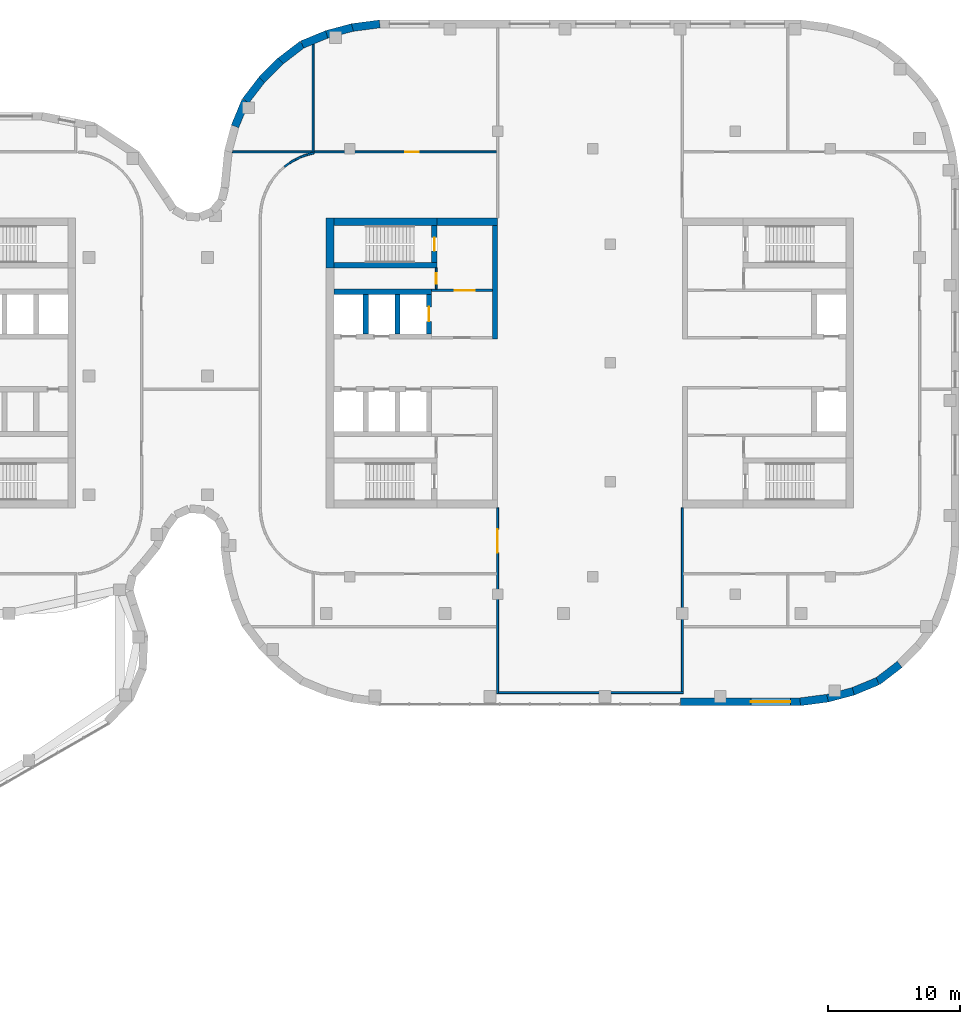
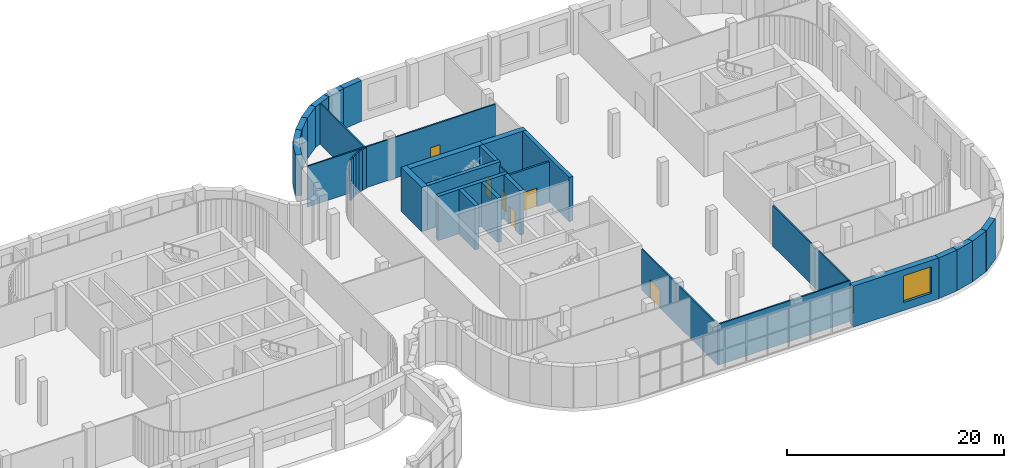
# One storey, part 19 of 25: 34 walls, 6 doors, 1 window, 7 openings.
"""IFC4 building model written with IfcOpenShell, lengths in metres."""

from ifc_helpers import new_model, si_unit, direction, frame, frame_2d, origin, place, context, subcontext, project, spatial, rectangle, extrude, material, layer, layer_set, type_object, element, fill, save


model = new_model("IFC4")

# Units and contexts
model_context = context("Model", 3, precision=1e-05, world=origin(), true_north=direction((0.0, 1.0)))
body_context = subcontext(model_context, "Body", "Model", "MODEL_VIEW")
ifc_project = project(units=[si_unit("LENGTHUNIT", "METRE"), si_unit("AREAUNIT", "SQUARE_METRE"), si_unit("VOLUMEUNIT", "CUBIC_METRE"), si_unit("PLANEANGLEUNIT", "RADIAN"), si_unit("MASSUNIT", "GRAM", prefix="KILO")], contexts=[model_context])

# Site, building, storey
site_placement = place(None, origin())
site = spatial("IfcSite", under=ifc_project, at=site_placement, CompositionType="ELEMENT")
building_placement = place(site_placement, origin())
building = spatial("IfcBuilding", under=site, at=building_placement, Name="Skarvind Civic Tower", CompositionType="ELEMENT")
storey_placement = place(building_placement, frame((0.0, 0.0, 7.5)))
storey = spatial("IfcBuildingStorey", under=building, at=storey_placement, Name="L01", CompositionType="ELEMENT", Elevation=7.5)

# Wall, opening, door
ifc_material_1 = material(Name="Fire-rated masonry partition", Category="masonry")
ifc_layer_1 = layer(ifc_material_1, 0.199951171875)
ifc_layer_set_1 = layer_set([ifc_layer_1], Name="Core enclosure wall 200")
wall_type_1 = type_object("IfcWallType", Name="Core enclosure wall 200", PredefinedType="PARTITIONING", material=ifc_layer_set_1)
wall_1_placement = place(storey_placement, frame((135.0, 133.5, 0.0), z_axis=(0.0, 0.0, 1.0), x_axis=(1.0, 0.0, 0.0)))
wall_1 = element("IfcWall", 1, at=wall_1_placement, inside=storey, type_object=wall_type_1, Name="Core wall CA", PredefinedType="PARTITIONING", context=body_context, shape_type="SweptSolid", body=[
    extrude(rectangle(XDim=4.60009765625, YDim=0.199951171875, at=frame_2d((2.300048828125, 0.0))), origin(), (0.0, 0.0, 1.0), 4.60009765625),
])
opening_1_placement = place(wall_1_placement, frame((1.75, 0.0, 0.0)))
opening_1 = element("IfcOpeningElement", 2, at=opening_1_placement, cuts=wall_1, Name="Opening D-L01-CA-07", PredefinedType="OPENING", context=body_context, shape_type="SweptSolid", body=[
    extrude(rectangle(XDim=1.5, YDim=2.10009765625, at=frame_2d((0.75, 1.050048828125))), frame((0.0, 0.10986328125, 0.0), z_axis=(0.0, -1.0, 0.0), x_axis=(1.0, 0.0, 0.0)), (0.0, 0.0, 1.0), 0.219970703125),
])
ifc_material_2 = material(Name="Fire-rated steel door", Category="steel")
door_type_1 = type_object("IfcDoorType", Name="Fire door 1500", OperationType="NOTDEFINED", PredefinedType="DOOR", material=ifc_material_2)
door_1_placement = place(opening_1_placement, origin())
door_1 = element("IfcDoor", 3, at=door_1_placement, inside=storey, type_object=door_type_1, Name="Fire door", OperationType="DOUBLE_DOOR_SINGLE_SWING", OverallHeight=2.10009765625, OverallWidth=1.5, PredefinedType="DOOR", context=body_context, shape_type="SweptSolid", body=[
    extrude(rectangle(XDim=1.5, YDim=2.10009765625, at=frame_2d((0.75, 1.050048828125))), frame((0.0, 0.02490234375, 0.0), z_axis=(0.0, -1.0, 0.0), x_axis=(1.0, 0.0, 0.0)), (0.0, 0.0, 1.0), 0.050048828125),
])
fill(opening_1, door_1)

# Wall
ifc_material_3 = material(Name="Concrete C80", Category="concrete")
ifc_layer_2 = layer(ifc_material_3, 0.39990234375)
ifc_layer_set_2 = layer_set([ifc_layer_2], Name="Core wall 400 C80")
wall_type_2 = type_object("IfcWallType", Name="Core wall 400 C80", PredefinedType="SHEAR", material=ifc_layer_set_2)
wall_2_placement = place(storey_placement, frame((127.60009765625, 135.39990234375, 0.0), z_axis=(0.0, 0.0, 1.0), x_axis=(1.0, 0.0, 0.0)))
element("IfcWall", 4, at=wall_2_placement, inside=storey, type_object=wall_type_2, Name="Core wall CA north stair inner L01", PredefinedType="SHEAR", context=body_context, shape_type="SweptSolid", body=[
    extrude(rectangle(XDim=7.7998046875, YDim=0.39990234375, at=frame_2d((3.89990234375, 0.0))), origin(), (0.0, 0.0, 1.0), 5.0),
])

# Wall, opening, door
wall_3_placement = place(storey_placement, frame((135.199951171875, 135.60009765625, 0.0), z_axis=(0.0, 0.0, 1.0), x_axis=(0.0, 1.0, 0.0)))
wall_3 = element("IfcWall", 5, at=wall_3_placement, inside=storey, type_object=wall_type_2, Name="Core wall CA north stair end L01", PredefinedType="SHEAR", context=body_context, shape_type="SweptSolid", body=[
    extrude(rectangle(XDim=2.7998046875, YDim=0.39990234375, at=frame_2d((1.39990234375, 0.0))), origin(), (0.0, 0.0, 1.0), 5.0),
])
opening_2_placement = place(wall_3_placement, frame((0.89990234375, 0.0, 0.0)))
opening_2 = element("IfcOpeningElement", 6, at=opening_2_placement, cuts=wall_3, Name="Opening D-L01-CA-08", PredefinedType="OPENING", context=body_context, shape_type="SweptSolid", body=[
    extrude(rectangle(XDim=1.0, YDim=2.10009765625, at=frame_2d((0.5, 1.050048828125))), frame((0.0, 0.2099609375, 0.0), z_axis=(0.0, -1.0, 0.0), x_axis=(1.0, 0.0, 0.0)), (0.0, 0.0, 1.0), 0.419921875),
])
door_type_2 = type_object("IfcDoorType", Name="Fire door 1000", OperationType="NOTDEFINED", PredefinedType="DOOR", material=ifc_material_2)
door_2_placement = place(opening_2_placement, origin())
door_2 = element("IfcDoor", 7, at=door_2_placement, inside=storey, type_object=door_type_2, Name="Fire door", OperationType="SINGLE_SWING_LEFT", OverallHeight=2.10009765625, OverallWidth=1.0, PredefinedType="DOOR", context=body_context, shape_type="SweptSolid", body=[
    extrude(rectangle(XDim=1.0, YDim=2.10009765625, at=frame_2d((0.5, 1.050048828125))), frame((0.0, 0.02490234375, 0.0), z_axis=(0.0, -1.0, 0.0), x_axis=(1.0, 0.0, 0.0)), (0.0, 0.0, 1.0), 0.050048828125),
])
fill(opening_2, door_2)

# Walls
wall_4_placement = place(storey_placement, frame((127.60009765625, 133.39990234375, 0.0), z_axis=(0.0, 0.0, 1.0), x_axis=(1.0, 0.0, 0.0)))
element("IfcWall", 8, at=wall_4_placement, inside=storey, type_object=wall_type_2, Name="Core wall CA north lift row back L01", PredefinedType="SHEAR", context=body_context, shape_type="SweptSolid", body=[
    extrude(rectangle(XDim=7.39990234375, YDim=0.39990234375, at=frame_2d((3.699951171875, 0.0))), origin(), (0.0, 0.0, 1.0), 5.0),
])
for number, where, z_axis, x_axis, name in (
    (9, (130.0, 130.199951171875, 0.0), (0.0, 0.0, 1.0), (0.0, 1.0, 0.0), "Core wall CA north lift row division 1 L01"),
    (10, (132.39990234375, 130.199951171875, 0.0), (0.0, 0.0, 1.0), (0.0, 1.0, 0.0), "Core wall CA north lift row division 2 L01"),
):
    element("IfcWall", number, at=place(storey_placement, frame(where, z_axis=z_axis, x_axis=x_axis)), inside=storey, type_object=wall_type_2, Name=name, PredefinedType="SHEAR", context=body_context, shape_type="SweptSolid", body=[
        extrude(rectangle(XDim=3.0, YDim=0.39990234375, at=frame_2d((1.5, 0.0))), origin(), (0.0, 0.0, 1.0), 5.0),
    ])

# Wall, opening, door
wall_5_placement = place(storey_placement, frame((134.800048828125, 130.199951171875, 0.0), z_axis=(0.0, 0.0, 1.0), x_axis=(0.0, 1.0, 0.0)))
wall_5 = element("IfcWall", 11, at=wall_5_placement, inside=storey, type_object=wall_type_2, Name="Core wall CA north lift row division 3 L01", PredefinedType="SHEAR", context=body_context, shape_type="SweptSolid", body=[
    extrude(rectangle(XDim=3.0, YDim=0.39990234375, at=frame_2d((1.5, 0.0))), origin(), (0.0, 0.0, 1.0), 5.0),
])
opening_3_placement = place(wall_5_placement, frame((0.949951171875, 0.0, 0.0)))
opening_3 = element("IfcOpeningElement", 12, at=opening_3_placement, cuts=wall_5, Name="Opening LD03303", PredefinedType="OPENING", context=body_context, shape_type="SweptSolid", body=[
    extrude(rectangle(XDim=1.10009765625, YDim=2.10009765625, at=frame_2d((0.550048828125, 1.050048828125))), frame((0.0, 0.2099609375, 0.0), z_axis=(0.0, -1.0, 0.0), x_axis=(1.0, 0.0, 0.0)), (0.0, 0.0, 1.0), 0.419921875),
])
ifc_material_4 = material(Name="Stainless steel landing door", Category="steel")
door_type_3 = type_object("IfcDoorType", Name="Lift landing door 1100", OperationType="DOUBLE_DOOR_SLIDING", PredefinedType="DOOR", material=ifc_material_4)
door_3_placement = place(opening_3_placement, origin())
door_3 = element("IfcDoor", 13, at=door_3_placement, inside=storey, type_object=door_type_3, Name="Lift landing door", OperationType="DOUBLE_DOOR_SLIDING", OverallHeight=2.10009765625, OverallWidth=1.10009765625, PredefinedType="DOOR", context=body_context, shape_type="SweptSolid", body=[
    extrude(rectangle(XDim=1.10009765625, YDim=2.10009765625, at=frame_2d((0.550048828125, 1.050048828125))), frame((0.0, 0.02490234375, 0.0), z_axis=(0.0, -1.0, 0.0), x_axis=(1.0, 0.0, 0.0)), (0.0, 0.0, 1.0), 0.050048828125),
])
fill(opening_3, door_3)

# Walls
wall_6_placement = place(storey_placement, frame((139.800048828125, 129.800048828125, 0.0), z_axis=(0.0, 0.0, 1.0), x_axis=(0.0, 1.0, 0.0)))
element("IfcWall", 14, at=wall_6_placement, inside=storey, type_object=wall_type_2, Name="Core wall CA north inner face L01", PredefinedType="SHEAR", context=body_context, shape_type="SweptSolid", body=[
    extrude(rectangle(XDim=8.599853515625, YDim=0.39990234375, at=frame_2d((4.2998046875, 0.0))), origin(), (0.0, 0.0, 1.0), 5.0),
])
ifc_layer_3 = layer(ifc_material_3, 0.60009765625)
ifc_layer_set_3 = layer_set([ifc_layer_3], Name="Core wall 600 C80")
wall_type_3 = type_object("IfcWallType", Name="Core wall 600 C80", PredefinedType="SHEAR", material=ifc_layer_set_3)
wall_7_placement = place(storey_placement, frame((127.300048828125, 135.199951171875, 0.0), z_axis=(0.0, 0.0, 1.0), x_axis=(0.0, 1.0, 0.0)))
element("IfcWall", 15, at=wall_7_placement, inside=storey, type_object=wall_type_3, Name="Core wall CA tip at the north stair L01", PredefinedType="SHEAR", context=body_context, shape_type="SweptSolid", body=[
    extrude(rectangle(XDim=3.800048828125, YDim=0.60009765625, at=frame_2d((1.89990234375, 0.0))), origin(), (0.0, 0.0, 1.0), 5.0),
])
wall_8_placement = place(storey_placement, frame((127.60009765625, 138.699951171875, 0.0), z_axis=(0.0, 0.0, 1.0), x_axis=(1.0, 0.0, 0.0)))
element("IfcWall", 16, at=wall_8_placement, inside=storey, type_object=wall_type_3, Name="Core wall CA north side at the stair L01", PredefinedType="SHEAR", context=body_context, shape_type="SweptSolid", body=[
    extrude(rectangle(XDim=7.7998046875, YDim=0.60009765625, at=frame_2d((3.89990234375, 0.0))), origin(), (0.0, 0.0, 1.0), 5.0),
])
wall_9_placement = place(storey_placement, frame((135.39990234375, 138.699951171875, 0.0), z_axis=(0.0, 0.0, 1.0), x_axis=(1.0, 0.0, 0.0)))
element("IfcWall", 17, at=wall_9_placement, inside=storey, type_object=wall_type_3, Name="Core wall CA north side L01", PredefinedType="SHEAR", context=body_context, shape_type="SweptSolid", body=[
    extrude(rectangle(XDim=4.60009765625, YDim=0.60009765625, at=frame_2d((2.300048828125, 0.0))), origin(), (0.0, 0.0, 1.0), 5.0),
])

# Wall, opening, door
ifc_material_5 = material(Name="Plasterboard partition on steel studs", Category="steel")
ifc_layer_4 = layer(ifc_material_5, 0.14990234375)
ifc_layer_set_4 = layer_set([ifc_layer_4], Name="PARTITION 150")
wall_type_4 = type_object("IfcWallType", Name="PARTITION 150", PredefinedType="PARTITIONING", material=ifc_layer_set_4)
wall_10_placement = place(storey_placement, frame((119.875, 144.0, 0.0), z_axis=(0.0, 0.0, 1.0), x_axis=(1.0, 0.0, 0.0)))
wall_10 = element("IfcWall", 18, at=wall_10_placement, inside=storey, type_object=wall_type_4, Name="Podium partition L01 199", PredefinedType="PARTITIONING", context=body_context, shape_type="SweptSolid", body=[
    extrude(rectangle(XDim=20.050048828125, YDim=0.14990234375, at=frame_2d((10.02490234375, 0.0))), origin(), (0.0, 0.0, 1.0), 4.60009765625),
])
opening_4_placement = place(wall_10_placement, frame((13.125, 0.0, 0.0)))
opening_4 = element("IfcOpeningElement", 19, at=opening_4_placement, cuts=wall_10, Name="Opening L01-D229", PredefinedType="OPENING", context=body_context, shape_type="SweptSolid", body=[
    extrude(rectangle(XDim=1.0, YDim=2.10009765625, at=frame_2d((0.5, 1.050048828125))), frame((0.0, 0.0849609375, 0.0), z_axis=(0.0, -1.0, 0.0), x_axis=(1.0, 0.0, 0.0)), (0.0, 0.0, 1.0), 0.169921875),
])
ifc_material_6 = material(Name="Timber veneer door leaf", Category="wood")
door_type_4 = type_object("IfcDoorType", Name="DOOR 1000X2100 TIMBER", OperationType="NOTDEFINED", PredefinedType="DOOR", material=ifc_material_6)
door_4_placement = place(opening_4_placement, origin())
door_4 = element("IfcDoor", 20, at=door_4_placement, inside=storey, type_object=door_type_4, Name="DOOR DOOR", OperationType="SINGLE_SWING_LEFT", OverallHeight=2.10009765625, OverallWidth=1.0, PredefinedType="DOOR", context=body_context, shape_type="SweptSolid", body=[
    extrude(rectangle(XDim=1.0, YDim=2.10009765625, at=frame_2d((0.5, 1.050048828125))), frame((0.0, 0.02490234375, 0.0), z_axis=(0.0, -1.0, 0.0), x_axis=(1.0, 0.0, 0.0)), (0.0, 0.0, 1.0), 0.050048828125),
])
fill(opening_4, door_4)

# Walls
wall_11_placement = place(storey_placement, frame((123.824951171875, 142.863037109375, 0.0), z_axis=(0.0, 0.0, 1.0), x_axis=(0.80404358372, 0.594570362092, 0.0)))
element("IfcWall", 21, at=wall_11_placement, inside=storey, type_object=wall_type_4, Name="Podium partition L01 221", PredefinedType="PARTITIONING", context=body_context, shape_type="SweptSolid", body=[
    extrude(rectangle(XDim=0.49755859375, YDim=0.14990234375, at=frame_2d((0.248779296875, 0.0))), origin(), (0.0, 0.0, 1.0), 4.60009765625),
])
wall_12_placement = place(storey_placement, frame((124.218994140625, 143.155029296875, 0.0), z_axis=(0.0, 0.0, 1.0), x_axis=(0.85671397893, 0.515791778052, 0.0)))
element("IfcWall", 22, at=wall_12_placement, inside=storey, type_object=wall_type_4, Name="Podium partition L01 223", PredefinedType="PARTITIONING", context=body_context, shape_type="SweptSolid", body=[
    extrude(rectangle(XDim=0.49853515625, YDim=0.14990234375, at=frame_2d((0.249267578125, 0.0))), origin(), (0.0, 0.0, 1.0), 4.60009765625),
])
for number, where, z_axis, x_axis, name in (
    (23, (124.639892578125, 143.407958984375, 0.0), (0.0, 0.0, 1.0), (0.903827641978, 0.427896709028, 0.0), "Podium partition L01 225"),
    (24, (125.083984375, 143.617919921875, 0.0), (0.0, 0.0, 1.0), (0.941442168887, 0.3371744988, 0.0), "Podium partition L01 227"),
):
    element("IfcWall", number, at=place(storey_placement, frame(where, z_axis=z_axis, x_axis=x_axis)), inside=storey, type_object=wall_type_4, Name=name, PredefinedType="PARTITIONING", context=body_context, shape_type="SweptSolid", body=[
        extrude(rectangle(XDim=0.498046875, YDim=0.14990234375, at=frame_2d((0.2490234375, 0.0))), origin(), (0.0, 0.0, 1.0), 4.60009765625),
    ])
wall_13_placement = place(storey_placement, frame((125.544921875, 143.783935546875, 0.0), z_axis=(0.0, 0.0, 1.0), x_axis=(0.970116111764, 0.242641154168, 0.0)))
element("IfcWall", 25, at=wall_13_placement, inside=storey, type_object=wall_type_4, Name="Podium partition L01 229", PredefinedType="PARTITIONING", context=body_context, shape_type="SweptSolid", body=[
    extrude(rectangle(XDim=0.54443359375, YDim=0.14990234375, at=frame_2d((0.272216796875, 0.0))), origin(), (0.0, 0.0, 1.0), 4.60009765625),
])
wall_14_placement = place(storey_placement, frame((126.0, 143.9951171875, 0.0), z_axis=(0.0, 0.0, 1.0), x_axis=(0.0, 1.0, 0.0)))
element("IfcWall", 26, at=wall_14_placement, inside=storey, type_object=wall_type_4, Name="Podium partition L01 231", PredefinedType="PARTITIONING", context=body_context, shape_type="SweptSolid", body=[
    extrude(rectangle(XDim=8.158935546875, YDim=0.14990234375, at=frame_2d((4.07958984375, 0.0))), origin(), (0.0, 0.0, 1.0), 4.60009765625),
])

# Wall, opening, door
wall_15_placement = place(storey_placement, frame((140.0, 102.925048828125, 0.0), z_axis=(0.0, 0.0, 1.0), x_axis=(0.0, 1.0, 0.0)))
wall_15 = element("IfcWall", 27, at=wall_15_placement, inside=storey, type_object=wall_type_4, Name="Podium partition L01 235", PredefinedType="PARTITIONING", context=body_context, shape_type="SweptSolid", body=[
    extrude(rectangle(XDim=14.074951171875, YDim=0.14990234375, at=frame_2d((7.03759765625, 0.0))), origin(), (0.0, 0.0, 1.0), 4.60009765625),
])
opening_5_placement = place(wall_15_placement, frame((10.675048828125, 0.0, 0.0)))
opening_5 = element("IfcOpeningElement", 28, at=opening_5_placement, cuts=wall_15, Name="Opening L01-D230", PredefinedType="OPENING", context=body_context, shape_type="SweptSolid", body=[
    extrude(rectangle(XDim=1.800048828125, YDim=2.10009765625, at=frame_2d((0.89990234375, 1.050048828125))), frame((0.0, 0.0849609375, 0.0), z_axis=(0.0, -1.0, 0.0), x_axis=(1.0, 0.0, 0.0)), (0.0, 0.0, 1.0), 0.169921875),
])
door_type_5 = type_object("IfcDoorType", Name="DOOR 1800X2100 DOUBLE TIMBER", OperationType="NOTDEFINED", PredefinedType="DOOR", material=ifc_material_6)
door_5_placement = place(opening_5_placement, origin())
door_5 = element("IfcDoor", 29, at=door_5_placement, inside=storey, type_object=door_type_5, Name="DOOR DOOR", OperationType="DOUBLE_DOOR_SINGLE_SWING", OverallHeight=2.10009765625, OverallWidth=1.800048828125, PredefinedType="DOOR", context=body_context, shape_type="SweptSolid", body=[
    extrude(rectangle(XDim=1.800048828125, YDim=2.10009765625, at=frame_2d((0.89990234375, 1.050048828125))), frame((0.0, 0.02490234375, 0.0), z_axis=(0.0, -1.0, 0.0), x_axis=(1.0, 0.0, 0.0)), (0.0, 0.0, 1.0), 0.050048828125),
])
fill(opening_5, door_5)

# Walls
wall_16_placement = place(storey_placement, frame((140.074951171875, 103.0, 0.0), z_axis=(0.0, 0.0, 1.0), x_axis=(1.0, 0.0, 0.0)))
element("IfcWall", 30, at=wall_16_placement, inside=storey, type_object=wall_type_4, Name="Podium partition L01 236", PredefinedType="PARTITIONING", context=body_context, shape_type="SweptSolid", body=[
    extrude(rectangle(XDim=14.0, YDim=0.14990234375, at=frame_2d((7.0, 0.0))), origin(), (0.0, 0.0, 1.0), 4.60009765625),
])
wall_17_placement = place(storey_placement, frame((154.0, 103.074951171875, 0.0), z_axis=(0.0, 0.0, 1.0), x_axis=(0.0, 1.0, 0.0)))
element("IfcWall", 31, at=wall_17_placement, inside=storey, type_object=wall_type_4, Name="Podium partition L01 238", PredefinedType="PARTITIONING", context=body_context, shape_type="SweptSolid", body=[
    extrude(rectangle(XDim=13.925048828125, YDim=0.14990234375, at=frame_2d((6.96240234375, 0.0))), origin(), (0.0, 0.0, 1.0), 4.60009765625),
])

# Wall, opening, door
ifc_layer_5 = layer(ifc_material_1, 0.125)
ifc_layer_set_5 = layer_set([ifc_layer_5], Name="Riser wall 125")
wall_type_5 = type_object("IfcWallType", Name="Riser wall 125", PredefinedType="PARTITIONING", material=ifc_layer_set_5)
wall_18_placement = place(storey_placement, frame((135.33740234375, 135.199951171875, 0.0), z_axis=(0.0, 0.0, 1.0), x_axis=(0.0, -1.0, 0.0)))
wall_18 = element("IfcWall", 32, at=wall_18_placement, inside=storey, type_object=wall_type_5, Name="Core wall CA", PredefinedType="PARTITIONING", context=body_context, shape_type="SweptSolid", body=[
    extrude(rectangle(XDim=1.599853515625, YDim=0.125, at=frame_2d((0.7998046875, 0.0))), origin(), (0.0, 0.0, 1.0), 4.60009765625),
])
opening_6_placement = place(wall_18_placement, frame((0.39990234375, 0.0, 0.0)))
opening_6 = element("IfcOpeningElement", 33, at=opening_6_placement, cuts=wall_18, Name="Opening D-L01-CA-09", PredefinedType="OPENING", context=body_context, shape_type="SweptSolid", body=[
    extrude(rectangle(XDim=0.800048828125, YDim=2.10009765625, at=frame_2d((0.39990234375, 1.050048828125))), frame((0.0, 0.072509765625, 0.0), z_axis=(0.0, -1.0, 0.0), x_axis=(1.0, 0.0, 0.0)), (0.0, 0.0, 1.0), 0.14501953125),
])
door_type_6 = type_object("IfcDoorType", Name="Core riser door 800", OperationType="NOTDEFINED", PredefinedType="DOOR", material=ifc_material_2)
door_6_placement = place(opening_6_placement, origin())
door_6 = element("IfcDoor", 34, at=door_6_placement, inside=storey, type_object=door_type_6, Name="Riser door", OperationType="SINGLE_SWING_RIGHT", OverallHeight=2.10009765625, OverallWidth=0.800048828125, PredefinedType="DOOR", context=body_context, shape_type="SweptSolid", body=[
    extrude(rectangle(XDim=0.800048828125, YDim=2.10009765625, at=frame_2d((0.39990234375, 1.050048828125))), frame((0.0, 0.02490234375, 0.0), z_axis=(0.0, -1.0, 0.0), x_axis=(1.0, 0.0, 0.0)), (0.0, 0.0, 1.0), 0.050048828125),
])
fill(opening_6, door_6)

# Wall, opening, window
ifc_material_7 = material(Name="Limestone masonry cladding on insulated backing", Category="masonry")
ifc_layer_6 = layer(ifc_material_7, 0.60009765625)
ifc_layer_set_6 = layer_set([ifc_layer_6], Name="WX1 STONE FACADE WALL 600")
wall_type_6 = type_object("IfcWallType", Name="WX1 STONE FACADE WALL 600", PredefinedType="SOLIDWALL", material=ifc_layer_set_6)
wall_19_placement = place(storey_placement, frame((162.978271484375, 102.300048828125, 0.0), z_axis=(0.0, 0.0, 1.0), x_axis=(-1.0, 0.0, 0.0)))
wall_19 = element("IfcWall", 35, at=wall_19_placement, inside=storey, type_object=wall_type_6, Name="STONE FACADE WALL", PredefinedType="SOLIDWALL", context=body_context, shape_type="SweptSolid", body=[
    extrude(rectangle(XDim=9.13037109375, YDim=0.60009765625, at=frame_2d((4.565185546875, 0.0))), origin(), (0.0, 0.0, 1.0), 4.60009765625),
])
opening_7_placement = place(wall_19_placement, frame((0.78271484375, 0.0, 0.89990234375)))
opening_7 = element("IfcOpeningElement", 36, at=opening_7_placement, cuts=wall_19, Name="Opening WN2", PredefinedType="OPENING", context=body_context, shape_type="SweptSolid", body=[
    extrude(rectangle(XDim=3.0, YDim=3.0, at=frame_2d((1.5, 1.5))), frame((0.0, 0.31005859375, 0.0), z_axis=(0.0, -1.0, 0.0), x_axis=(1.0, 0.0, 0.0)), (0.0, 0.0, 1.0), 0.6201171875),
])
ifc_material_8 = material(Name="Timber frame, double glazing, timber-lined reveal", Category="wood")
window_type = type_object("IfcWindowType", Name="WN2 PODIUM STONE WINDOW 3000 x 3000", PartitioningType="SINGLE_PANEL", PredefinedType="WINDOW", material=ifc_material_8)
window_placement = place(opening_7_placement, origin())
window = element("IfcWindow", 37, at=window_placement, inside=storey, type_object=window_type, Name="WN2 WINDOW", OverallHeight=3.0, OverallWidth=3.0, PartitioningType="SINGLE_PANEL", PredefinedType="WINDOW", context=body_context, shape_type="SweptSolid", body=[
    extrude(rectangle(XDim=3.0, YDim=3.0, at=frame_2d((1.5, 1.5))), frame((0.0, 0.030029296875, 0.0), z_axis=(0.0, -1.0, 0.0), x_axis=(1.0, 0.0, 0.0)), (0.0, 0.0, 1.0), 0.06005859375),
])
fill(opening_7, window)

# Walls
wall_20_placement = place(storey_placement, frame((165.052490234375, 102.57568359375, 0.0), z_axis=(0.0, 0.0, 1.0), x_axis=(-0.991440646942, -0.130558200013, 0.0)))
element("IfcWall", 38, at=wall_20_placement, inside=storey, type_object=wall_type_6, Name="STONE FACADE WALL", PredefinedType="SOLIDWALL", context=body_context, shape_type="SweptSolid", body=[
    extrude(rectangle(XDim=2.1318359375, YDim=0.60009765625, at=frame_2d((1.06591796875, 0.0))), origin(), (0.0, 0.0, 1.0), 4.60009765625),
])
wall_21_placement = place(storey_placement, frame((166.967529296875, 103.091552734375, 0.0), z_axis=(0.0, 0.0, 1.0), x_axis=(-0.965929732323, -0.258804467146, 0.0)))
element("IfcWall", 39, at=wall_21_placement, inside=storey, type_object=wall_type_6, Name="STONE FACADE WALL", PredefinedType="SOLIDWALL", context=body_context, shape_type="SweptSolid", body=[
    extrude(rectangle(XDim=2.0224609375, YDim=0.60009765625, at=frame_2d((1.01123046875, 0.0))), origin(), (0.0, 0.0, 1.0), 4.60009765625),
])
wall_22_placement = place(storey_placement, frame((168.8193359375, 103.8603515625, 0.0), z_axis=(0.0, 0.0, 1.0), x_axis=(-0.924021197839, -0.382341242798, 0.0)))
element("IfcWall", 40, at=wall_22_placement, inside=storey, type_object=wall_type_6, Name="STONE FACADE WALL", PredefinedType="SOLIDWALL", context=body_context, shape_type="SweptSolid", body=[
    extrude(rectangle(XDim=2.0439453125, YDim=0.60009765625, at=frame_2d((1.02197265625, 0.0))), origin(), (0.0, 0.0, 1.0), 4.60009765625),
])
wall_23_placement = place(storey_placement, frame((170.49267578125, 105.135498046875, 0.0), z_axis=(0.0, 0.0, 1.0), x_axis=(-0.79313029079, -0.609052002567, 0.0)))
element("IfcWall", 41, at=wall_23_placement, inside=storey, type_object=wall_type_6, Name="STONE FACADE WALL", PredefinedType="SOLIDWALL", context=body_context, shape_type="SweptSolid", body=[
    extrude(rectangle(XDim=2.114013671875, YDim=0.60009765625, at=frame_2d((1.05712890625, 0.0))), origin(), (0.0, 0.0, 1.0), 4.60009765625),
])
wall_24_placement = place(storey_placement, frame((128.947509765625, 153.42431640625, 0.0), z_axis=(0.0, 0.0, 1.0), x_axis=(0.991440646942, 0.130558200013, 0.0)))
element("IfcWall", 42, at=wall_24_placement, inside=storey, type_object=wall_type_6, Name="STONE FACADE WALL", PredefinedType="SOLIDWALL", context=body_context, shape_type="SweptSolid", body=[
    extrude(rectangle(XDim=2.1318359375, YDim=0.60009765625, at=frame_2d((1.06591796875, 0.0))), origin(), (0.0, 0.0, 1.0), 4.60009765625),
])
wall_25_placement = place(storey_placement, frame((127.032470703125, 152.908447265625, 0.0), z_axis=(0.0, 0.0, 1.0), x_axis=(0.965929732323, 0.258804467146, 0.0)))
element("IfcWall", 43, at=wall_25_placement, inside=storey, type_object=wall_type_6, Name="STONE FACADE WALL", PredefinedType="SOLIDWALL", context=body_context, shape_type="SweptSolid", body=[
    extrude(rectangle(XDim=2.0224609375, YDim=0.60009765625, at=frame_2d((1.01123046875, 0.0))), origin(), (0.0, 0.0, 1.0), 4.60009765625),
])
wall_26_placement = place(storey_placement, frame((125.1806640625, 152.1396484375, 0.0), z_axis=(0.0, 0.0, 1.0), x_axis=(0.924021197839, 0.382341242798, 0.0)))
element("IfcWall", 44, at=wall_26_placement, inside=storey, type_object=wall_type_6, Name="STONE FACADE WALL", PredefinedType="SOLIDWALL", context=body_context, shape_type="SweptSolid", body=[
    extrude(rectangle(XDim=2.0439453125, YDim=0.60009765625, at=frame_2d((1.02197265625, 0.0))), origin(), (0.0, 0.0, 1.0), 4.60009765625),
])
wall_27_placement = place(storey_placement, frame((123.50732421875, 150.864501953125, 0.0), z_axis=(0.0, 0.0, 1.0), x_axis=(0.79313029079, 0.609052002567, 0.0)))
element("IfcWall", 45, at=wall_27_placement, inside=storey, type_object=wall_type_6, Name="STONE FACADE WALL", PredefinedType="SOLIDWALL", context=body_context, shape_type="SweptSolid", body=[
    extrude(rectangle(XDim=2.114013671875, YDim=0.60009765625, at=frame_2d((1.05712890625, 0.0))), origin(), (0.0, 0.0, 1.0), 4.60009765625),
])
wall_28_placement = place(storey_placement, frame((122.109619140625, 149.463134765625, 0.0), z_axis=(0.0, 0.0, 1.0), x_axis=(0.707106781187, 0.707106781187, 0.0)))
element("IfcWall", 46, at=wall_28_placement, inside=storey, type_object=wall_type_6, Name="STONE FACADE WALL", PredefinedType="SOLIDWALL", context=body_context, shape_type="SweptSolid", body=[
    extrude(rectangle(XDim=2.018310546875, YDim=0.60009765625, at=frame_2d((1.00927734375, 0.0))), origin(), (0.0, 0.0, 1.0), 4.60009765625),
])
wall_29_placement = place(storey_placement, frame((120.890625, 147.87158203125, 0.0), z_axis=(0.0, 0.0, 1.0), x_axis=(0.609058260448, 0.793125485267, 0.0)))
element("IfcWall", 47, at=wall_29_placement, inside=storey, type_object=wall_type_6, Name="STONE FACADE WALL", PredefinedType="SOLIDWALL", context=body_context, shape_type="SweptSolid", body=[
    extrude(rectangle(XDim=2.0439453125, YDim=0.60009765625, at=frame_2d((1.02197265625, 0.0))), origin(), (0.0, 0.0, 1.0), 4.60009765625),
])
wall_30_placement = place(storey_placement, frame((120.078857421875, 145.9306640625, 0.0), z_axis=(0.0, 0.0, 1.0), x_axis=(0.382375593358, 0.924006983526, 0.0)))
element("IfcWall", 48, at=wall_30_placement, inside=storey, type_object=wall_type_6, Name="STONE FACADE WALL", PredefinedType="SOLIDWALL", context=body_context, shape_type="SweptSolid", body=[
    extrude(rectangle(XDim=2.114013671875, YDim=0.60009765625, at=frame_2d((1.05712890625, 0.0))), origin(), (0.0, 0.0, 1.0), 4.60009765625),
])

save(model, "model.ifc")
